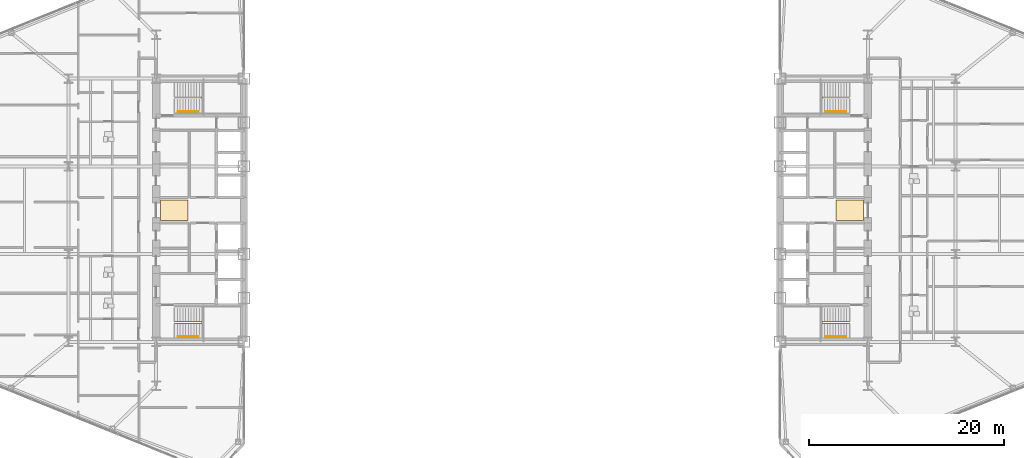
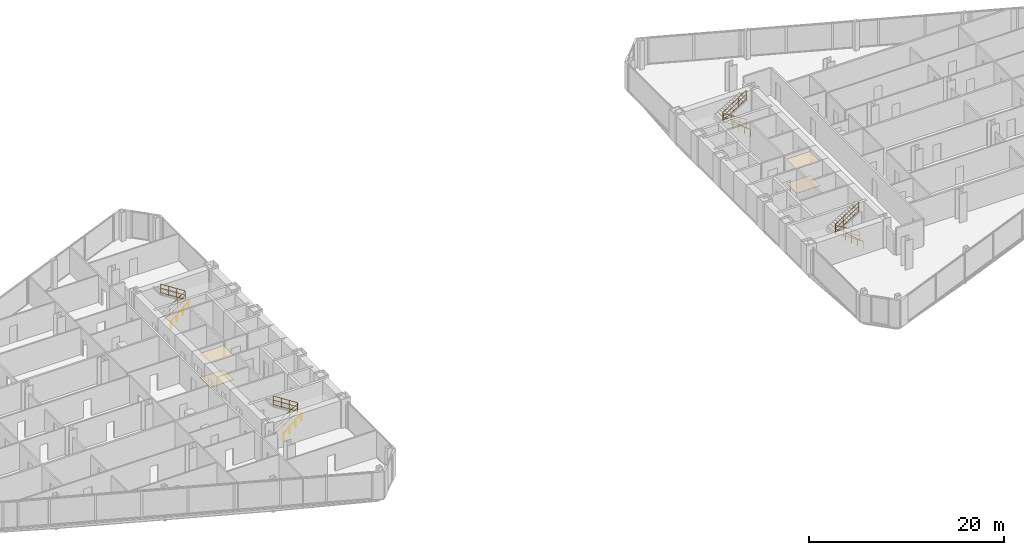
# One storey, part 24 of 25: 8 railings, 4 coverings.
"""IFC4 building model written with IfcOpenShell, lengths in metres."""

from ifc_helpers import new_model, si_unit, direction, frame, origin, origin_2d, place, context, subcontext, project, spatial, polyline, circle, outline, extrude, material, layer, layer_set, type_object, element, save


model = new_model("IFC4")

# Units and contexts
model_context = context("Model", 3, precision=1e-05, world=origin(), true_north=direction((0.0, 1.0)))
body_context = subcontext(model_context, "Body", "Model", "MODEL_VIEW")
ifc_project = project(units=[si_unit("LENGTHUNIT", "METRE"), si_unit("AREAUNIT", "SQUARE_METRE"), si_unit("VOLUMEUNIT", "CUBIC_METRE"), si_unit("PLANEANGLEUNIT", "RADIAN"), si_unit("MASSUNIT", "GRAM", prefix="KILO")], contexts=[model_context])

# Site, building, storey
site_placement = place(None, origin())
site = spatial("IfcSite", under=ifc_project, at=site_placement, CompositionType="ELEMENT")
building_placement = place(site_placement, origin())
building = spatial("IfcBuilding", under=site, at=building_placement, Name="Seokmaru Belvedere", CompositionType="ELEMENT")
storey_placement = place(building_placement, frame((0.0, 0.0, 47.699951171875)))
storey = spatial("IfcBuildingStorey", under=building, at=storey_placement, Name="L12", CompositionType="ELEMENT", Elevation=47.699951171875)

# Coverings
ifc_material_1 = material(Name="Engineered White Oak Timber", Category="wood")
ifc_layer_1 = layer(ifc_material_1, 0.02197265625)
ifc_layer_set_1 = layer_set([ifc_layer_1], Name="Engineered White Oak Timber")
covering_type_1 = type_object("IfcCoveringType", Name="Engineered Oak Residence Floor Finish 22", PredefinedType="FLOORING", material=ifc_layer_set_1)
covering_1_placement = place(storey_placement, origin())
element("IfcCovering", 1, at=covering_1_placement, inside=storey, type_object=covering_type_1, Name="L12 W Foyer Floor Finish", PredefinedType="FLOORING", context=body_context, shape_type="SweptSolid", body=[
    extrude(outline(polyline([(-36.050048828125, -1.050048828125), (-33.25, -1.050048828125), (-33.25, 1.050048828125), (-36.050048828125, 1.050048828125), (-36.050048828125, -1.050048828125)])), origin(), (0.0, 0.0, 1.0), 0.02197265625),
])
covering_2_placement = place(storey_placement, origin())
element("IfcCovering", 2, at=covering_2_placement, inside=storey, type_object=covering_type_1, Name="L12 E Foyer Floor Finish", PredefinedType="FLOORING", context=body_context, shape_type="SweptSolid", body=[
    extrude(outline(polyline([(33.25, -1.050048828125), (36.050048828125, -1.050048828125), (36.050048828125, 1.050048828125), (33.25, 1.050048828125), (33.25, -1.050048828125)])), origin(), (0.0, 0.0, 1.0), 0.02197265625),
])
ifc_material_2 = material(Name="Fire-Rated Gypsum Shaftwall")
ifc_layer_2 = layer(ifc_material_2, 0.02490234375)
ifc_layer_set_2 = layer_set([ifc_layer_2], Name="Fire-Rated Gypsum Shaftwall")
covering_type_2 = type_object("IfcCoveringType", Name="Perforated Acoustic Gypsum Suspended Ceiling 25", PredefinedType="CEILING", material=ifc_layer_set_2)
covering_3_placement = place(storey_placement, frame((0.0, 0.0, 3.030029296875)))
element("IfcCovering", 3, at=covering_3_placement, inside=storey, type_object=covering_type_2, Name="L12 W Lift Foyer Acoustic Ceiling", PredefinedType="CEILING", context=body_context, shape_type="SweptSolid", body=[
    extrude(outline(polyline([(-36.050048828125, -1.050048828125), (-33.25, -1.050048828125), (-33.25, 1.050048828125), (-36.050048828125, 1.050048828125), (-36.050048828125, -1.050048828125)])), origin(), (0.0, 0.0, 1.0), 0.02490234375),
])
covering_4_placement = place(storey_placement, frame((0.0, 0.0, 3.030029296875)))
element("IfcCovering", 4, at=covering_4_placement, inside=storey, type_object=covering_type_2, Name="L12 E Lift Foyer Acoustic Ceiling", PredefinedType="CEILING", context=body_context, shape_type="SweptSolid", body=[
    extrude(outline(polyline([(33.25, -1.050048828125), (36.050048828125, -1.050048828125), (36.050048828125, 1.050048828125), (33.25, 1.050048828125), (33.25, -1.050048828125)])), origin(), (0.0, 0.0, 1.0), 0.02490234375),
])

# Railings
ifc_material_3 = material(Name="Stainless Steel 316", Category="steel")
railing_type_1 = type_object("IfcRailingType", Name="Stainless Steel Wall and Flight Handrail 900", PredefinedType="HANDRAIL", material=ifc_material_3)
for number, where, name in (
    (5, (-34.25, -12.949951171875, 0.0), "L12 Stair ST-W1 Wall Handrail"),
    (6, (-34.25, 10.110107421875, 0.0), "L12 Stair ST-W2 Wall Handrail"),
):
    element("IfcRailing", number, at=place(storey_placement, frame(where)), inside=storey, type_object=railing_type_1, Name=name, PredefinedType="HANDRAIL", context=body_context, shape_type="SweptSolid", body=[
        extrude(circle(Radius=0.02392578125, at=origin_2d()), frame((0.0, 0.0, 0.8759765625), z_axis=(0.759262832861, 0.0, 0.650784104474), x_axis=(0.0, 1.0, 0.0)), (0.0, 0.0, 1.0), 2.765869140625),
        extrude(circle(Radius=0.02099609375, at=origin_2d()), origin(), (0.0, 0.0, 1.0), 0.851806640625),
        extrude(circle(Radius=0.02099609375, at=origin_2d()), frame((0.699951171875, 0.0, 0.60009765625)), (0.0, 0.0, 1.0), 0.851806640625),
        extrude(circle(Radius=0.02099609375, at=origin_2d()), frame((1.400146484375, 0.0, 1.199951171875)), (0.0, 0.0, 1.0), 0.851806640625),
        extrude(circle(Radius=0.02099609375, at=origin_2d()), frame((2.10009765625, 0.0, 1.800048828125)), (0.0, 0.0, 1.0), 0.851806640625),
    ])
for number, where, name in (
    (7, (34.25, -12.949951171875, 0.0), "L12 Stair ST-E1 Wall Handrail"),
    (8, (34.25, 10.110107421875, 0.0), "L12 Stair ST-E2 Wall Handrail"),
):
    element("IfcRailing", number, at=place(storey_placement, frame(where)), inside=storey, type_object=railing_type_1, Name=name, PredefinedType="HANDRAIL", context=body_context, shape_type="SweptSolid", body=[
        extrude(circle(Radius=0.02392578125, at=origin_2d()), frame((0.0, 0.0, 0.8759765625), z_axis=(-0.759262832861, 0.0, 0.650784104474), x_axis=(0.0, -1.0, 0.0)), (0.0, 0.0, 1.0), 2.765869140625),
        extrude(circle(Radius=0.02099609375, at=origin_2d()), origin(), (0.0, 0.0, 1.0), 0.851806640625),
        extrude(circle(Radius=0.02099609375, at=origin_2d()), frame((-0.699951171875, 0.0, 0.60009765625)), (0.0, 0.0, 1.0), 0.851806640625),
        extrude(circle(Radius=0.02099609375, at=origin_2d()), frame((-1.400146484375, 0.0, 1.199951171875)), (0.0, 0.0, 1.0), 0.851806640625),
        extrude(circle(Radius=0.02099609375, at=origin_2d()), frame((-2.10009765625, 0.0, 1.800048828125)), (0.0, 0.0, 1.0), 0.851806640625),
    ])
railing_type_2 = type_object("IfcRailingType", Name="Stair Well and Atrium Steel Guardrail 1200", PredefinedType="GUARDRAIL", material=ifc_material_3)
railing_1_placement = place(storey_placement, frame((-34.60009765625, -11.60009765625, 0.0)))
element("IfcRailing", 9, at=railing_1_placement, inside=storey, type_object=railing_type_2, Name="L12 Stair ST-W1 Inner Well Guardrail", PredefinedType="GUARDRAIL", context=body_context, shape_type="SweptSolid", body=[
    extrude(circle(Radius=0.02392578125, at=origin_2d()), frame((0.0, 0.0, 1.17578125), z_axis=(0.841176092368, 0.0, 0.540761298198), x_axis=(0.0, 1.0, 0.0)), (0.0, 0.0, 1.0), 3.32861328125),
    extrude(circle(Radius=0.02392578125, at=origin_2d()), frame((0.0, 0.0, 0.1201171875), z_axis=(0.841176092368, 0.0, 0.540761298198), x_axis=(0.0, 1.0, 0.0)), (0.0, 0.0, 1.0), 3.32861328125),
    extrude(circle(Radius=0.02392578125, at=origin_2d()), frame((0.0, 0.0, 0.659912109375), z_axis=(0.841176092368, 0.0, 0.540761298198), x_axis=(0.0, 1.0, 0.0)), (0.0, 0.0, 1.0), 3.32861328125),
    extrude(circle(Radius=0.02392578125, at=origin_2d()), frame((2.800048828125, 0.0, 2.97607421875), z_axis=(0.0, 1.0, 0.0), x_axis=(-1.0, 0.0, 0.0)), (0.0, 0.0, 1.0), 0.14013671875),
    extrude(circle(Radius=0.02392578125, at=origin_2d()), frame((2.800048828125, 0.0, 1.920166015625), z_axis=(0.0, 1.0, 0.0), x_axis=(-1.0, 0.0, 0.0)), (0.0, 0.0, 1.0), 0.14013671875),
    extrude(circle(Radius=0.02392578125, at=origin_2d()), frame((2.800048828125, 0.0, 2.4599609375), z_axis=(0.0, 1.0, 0.0), x_axis=(-1.0, 0.0, 0.0)), (0.0, 0.0, 1.0), 0.14013671875),
    extrude(circle(Radius=0.02392578125, at=origin_2d()), frame((2.800048828125, 0.14013671875, 2.97607421875), z_axis=(-0.841176092368, 0.0, 0.540761298198), x_axis=(0.0, -1.0, 0.0)), (0.0, 0.0, 1.0), 3.32861328125),
    extrude(circle(Radius=0.02392578125, at=origin_2d()), frame((2.800048828125, 0.14013671875, 1.920166015625), z_axis=(-0.841176092368, 0.0, 0.540761298198), x_axis=(0.0, -1.0, 0.0)), (0.0, 0.0, 1.0), 3.32861328125),
    extrude(circle(Radius=0.02392578125, at=origin_2d()), frame((2.800048828125, 0.14013671875, 2.4599609375), z_axis=(-0.841176092368, 0.0, 0.540761298198), x_axis=(0.0, -1.0, 0.0)), (0.0, 0.0, 1.0), 3.32861328125),
    extrude(circle(Radius=0.02099609375, at=origin_2d()), origin(), (0.0, 0.0, 1.0), 1.15185546875),
    extrude(circle(Radius=0.02099609375, at=origin_2d()), frame((0.933349609375, 0.0, 0.60009765625)), (0.0, 0.0, 1.0), 1.15185546875),
    extrude(circle(Radius=0.02099609375, at=origin_2d()), frame((1.86669921875, 0.0, 1.199951171875)), (0.0, 0.0, 1.0), 1.15185546875),
    extrude(circle(Radius=0.02099609375, at=origin_2d()), frame((2.800048828125, 0.0, 1.800048828125)), (0.0, 0.0, 1.0), 1.15185546875),
    extrude(circle(Radius=0.02099609375, at=origin_2d()), frame((2.800048828125, 0.14013671875, 1.800048828125)), (0.0, 0.0, 1.0), 1.15185546875),
    extrude(circle(Radius=0.02099609375, at=origin_2d()), frame((1.86669921875, 0.14013671875, 2.400146484375)), (0.0, 0.0, 1.0), 1.15185546875),
    extrude(circle(Radius=0.02099609375, at=origin_2d()), frame((0.933349609375, 0.14013671875, 3.0)), (0.0, 0.0, 1.0), 1.15185546875),
    extrude(circle(Radius=0.02099609375, at=origin_2d()), frame((0.0, 0.14013671875, 3.60009765625)), (0.0, 0.0, 1.0), 1.15185546875),
])
railing_2_placement = place(storey_placement, frame((-34.60009765625, 11.4599609375, 0.0)))
element("IfcRailing", 10, at=railing_2_placement, inside=storey, type_object=railing_type_2, Name="L12 Stair ST-W2 Inner Well Guardrail", PredefinedType="GUARDRAIL", context=body_context, shape_type="SweptSolid", body=[
    extrude(circle(Radius=0.02392578125, at=origin_2d()), frame((0.0, 0.0, 1.17578125), z_axis=(0.841176092368, 0.0, 0.540761298198), x_axis=(0.0, 1.0, 0.0)), (0.0, 0.0, 1.0), 3.32861328125),
    extrude(circle(Radius=0.02392578125, at=origin_2d()), frame((0.0, 0.0, 0.1201171875), z_axis=(0.841176092368, 0.0, 0.540761298198), x_axis=(0.0, 1.0, 0.0)), (0.0, 0.0, 1.0), 3.32861328125),
    extrude(circle(Radius=0.02392578125, at=origin_2d()), frame((0.0, 0.0, 0.659912109375), z_axis=(0.841176092368, 0.0, 0.540761298198), x_axis=(0.0, 1.0, 0.0)), (0.0, 0.0, 1.0), 3.32861328125),
    extrude(circle(Radius=0.02392578125, at=origin_2d()), frame((2.800048828125, 0.0, 2.97607421875), z_axis=(0.0, 1.0, 0.0), x_axis=(-1.0, 0.0, 0.0)), (0.0, 0.0, 1.0), 0.14013671875),
    extrude(circle(Radius=0.02392578125, at=origin_2d()), frame((2.800048828125, 0.0, 1.920166015625), z_axis=(0.0, 1.0, 0.0), x_axis=(-1.0, 0.0, 0.0)), (0.0, 0.0, 1.0), 0.14013671875),
    extrude(circle(Radius=0.02392578125, at=origin_2d()), frame((2.800048828125, 0.0, 2.4599609375), z_axis=(0.0, 1.0, 0.0), x_axis=(-1.0, 0.0, 0.0)), (0.0, 0.0, 1.0), 0.14013671875),
    extrude(circle(Radius=0.02392578125, at=origin_2d()), frame((2.800048828125, 0.14013671875, 2.97607421875), z_axis=(-0.841176092368, 0.0, 0.540761298198), x_axis=(0.0, -1.0, 0.0)), (0.0, 0.0, 1.0), 3.32861328125),
    extrude(circle(Radius=0.02392578125, at=origin_2d()), frame((2.800048828125, 0.14013671875, 1.920166015625), z_axis=(-0.841176092368, 0.0, 0.540761298198), x_axis=(0.0, -1.0, 0.0)), (0.0, 0.0, 1.0), 3.32861328125),
    extrude(circle(Radius=0.02392578125, at=origin_2d()), frame((2.800048828125, 0.14013671875, 2.4599609375), z_axis=(-0.841176092368, 0.0, 0.540761298198), x_axis=(0.0, -1.0, 0.0)), (0.0, 0.0, 1.0), 3.32861328125),
    extrude(circle(Radius=0.02099609375, at=origin_2d()), origin(), (0.0, 0.0, 1.0), 1.15185546875),
    extrude(circle(Radius=0.02099609375, at=origin_2d()), frame((0.933349609375, 0.0, 0.60009765625)), (0.0, 0.0, 1.0), 1.15185546875),
    extrude(circle(Radius=0.02099609375, at=origin_2d()), frame((1.86669921875, 0.0, 1.199951171875)), (0.0, 0.0, 1.0), 1.15185546875),
    extrude(circle(Radius=0.02099609375, at=origin_2d()), frame((2.800048828125, 0.0, 1.800048828125)), (0.0, 0.0, 1.0), 1.15185546875),
    extrude(circle(Radius=0.02099609375, at=origin_2d()), frame((2.800048828125, 0.14013671875, 1.800048828125)), (0.0, 0.0, 1.0), 1.15185546875),
    extrude(circle(Radius=0.02099609375, at=origin_2d()), frame((1.86669921875, 0.14013671875, 2.400146484375)), (0.0, 0.0, 1.0), 1.15185546875),
    extrude(circle(Radius=0.02099609375, at=origin_2d()), frame((0.933349609375, 0.14013671875, 3.0)), (0.0, 0.0, 1.0), 1.15185546875),
    extrude(circle(Radius=0.02099609375, at=origin_2d()), frame((0.0, 0.14013671875, 3.60009765625)), (0.0, 0.0, 1.0), 1.15185546875),
])
railing_3_placement = place(storey_placement, frame((34.60009765625, -11.60009765625, 0.0)))
element("IfcRailing", 11, at=railing_3_placement, inside=storey, type_object=railing_type_2, Name="L12 Stair ST-E1 Inner Well Guardrail", PredefinedType="GUARDRAIL", context=body_context, shape_type="SweptSolid", body=[
    extrude(circle(Radius=0.02392578125, at=origin_2d()), frame((0.0, 0.0, 1.17578125), z_axis=(-0.841176092368, 0.0, 0.540761298198), x_axis=(0.0, -1.0, 0.0)), (0.0, 0.0, 1.0), 3.32861328125),
    extrude(circle(Radius=0.02392578125, at=origin_2d()), frame((0.0, 0.0, 0.1201171875), z_axis=(-0.841176092368, 0.0, 0.540761298198), x_axis=(0.0, -1.0, 0.0)), (0.0, 0.0, 1.0), 3.32861328125),
    extrude(circle(Radius=0.02392578125, at=origin_2d()), frame((0.0, 0.0, 0.659912109375), z_axis=(-0.841176092368, 0.0, 0.540761298198), x_axis=(0.0, -1.0, 0.0)), (0.0, 0.0, 1.0), 3.32861328125),
    extrude(circle(Radius=0.02392578125, at=origin_2d()), frame((-2.800048828125, 0.0, 2.97607421875), z_axis=(0.0, 1.0, 0.0), x_axis=(-1.0, 0.0, 0.0)), (0.0, 0.0, 1.0), 0.14013671875),
    extrude(circle(Radius=0.02392578125, at=origin_2d()), frame((-2.800048828125, 0.0, 1.920166015625), z_axis=(0.0, 1.0, 0.0), x_axis=(-1.0, 0.0, 0.0)), (0.0, 0.0, 1.0), 0.14013671875),
    extrude(circle(Radius=0.02392578125, at=origin_2d()), frame((-2.800048828125, 0.0, 2.4599609375), z_axis=(0.0, 1.0, 0.0), x_axis=(-1.0, 0.0, 0.0)), (0.0, 0.0, 1.0), 0.14013671875),
    extrude(circle(Radius=0.02392578125, at=origin_2d()), frame((-2.800048828125, 0.14013671875, 2.97607421875), z_axis=(0.841176092368, 0.0, 0.540761298198), x_axis=(0.0, 1.0, 0.0)), (0.0, 0.0, 1.0), 3.32861328125),
    extrude(circle(Radius=0.02392578125, at=origin_2d()), frame((-2.800048828125, 0.14013671875, 1.920166015625), z_axis=(0.841176092368, 0.0, 0.540761298198), x_axis=(0.0, 1.0, 0.0)), (0.0, 0.0, 1.0), 3.32861328125),
    extrude(circle(Radius=0.02392578125, at=origin_2d()), frame((-2.800048828125, 0.14013671875, 2.4599609375), z_axis=(0.841176092368, 0.0, 0.540761298198), x_axis=(0.0, 1.0, 0.0)), (0.0, 0.0, 1.0), 3.32861328125),
    extrude(circle(Radius=0.02099609375, at=origin_2d()), origin(), (0.0, 0.0, 1.0), 1.15185546875),
    extrude(circle(Radius=0.02099609375, at=origin_2d()), frame((-0.933349609375, 0.0, 0.60009765625)), (0.0, 0.0, 1.0), 1.15185546875),
    extrude(circle(Radius=0.02099609375, at=origin_2d()), frame((-1.86669921875, 0.0, 1.199951171875)), (0.0, 0.0, 1.0), 1.15185546875),
    extrude(circle(Radius=0.02099609375, at=origin_2d()), frame((-2.800048828125, 0.0, 1.800048828125)), (0.0, 0.0, 1.0), 1.15185546875),
    extrude(circle(Radius=0.02099609375, at=origin_2d()), frame((-2.800048828125, 0.14013671875, 1.800048828125)), (0.0, 0.0, 1.0), 1.15185546875),
    extrude(circle(Radius=0.02099609375, at=origin_2d()), frame((-1.86669921875, 0.14013671875, 2.400146484375)), (0.0, 0.0, 1.0), 1.15185546875),
    extrude(circle(Radius=0.02099609375, at=origin_2d()), frame((-0.933349609375, 0.14013671875, 3.0)), (0.0, 0.0, 1.0), 1.15185546875),
    extrude(circle(Radius=0.02099609375, at=origin_2d()), frame((0.0, 0.14013671875, 3.60009765625)), (0.0, 0.0, 1.0), 1.15185546875),
])
railing_4_placement = place(storey_placement, frame((34.60009765625, 11.4599609375, 0.0)))
element("IfcRailing", 12, at=railing_4_placement, inside=storey, type_object=railing_type_2, Name="L12 Stair ST-E2 Inner Well Guardrail", PredefinedType="GUARDRAIL", context=body_context, shape_type="SweptSolid", body=[
    extrude(circle(Radius=0.02392578125, at=origin_2d()), frame((0.0, 0.0, 1.17578125), z_axis=(-0.841176092368, 0.0, 0.540761298198), x_axis=(0.0, -1.0, 0.0)), (0.0, 0.0, 1.0), 3.32861328125),
    extrude(circle(Radius=0.02392578125, at=origin_2d()), frame((0.0, 0.0, 0.1201171875), z_axis=(-0.841176092368, 0.0, 0.540761298198), x_axis=(0.0, -1.0, 0.0)), (0.0, 0.0, 1.0), 3.32861328125),
    extrude(circle(Radius=0.02392578125, at=origin_2d()), frame((0.0, 0.0, 0.659912109375), z_axis=(-0.841176092368, 0.0, 0.540761298198), x_axis=(0.0, -1.0, 0.0)), (0.0, 0.0, 1.0), 3.32861328125),
    extrude(circle(Radius=0.02392578125, at=origin_2d()), frame((-2.800048828125, 0.0, 2.97607421875), z_axis=(0.0, 1.0, 0.0), x_axis=(-1.0, 0.0, 0.0)), (0.0, 0.0, 1.0), 0.14013671875),
    extrude(circle(Radius=0.02392578125, at=origin_2d()), frame((-2.800048828125, 0.0, 1.920166015625), z_axis=(0.0, 1.0, 0.0), x_axis=(-1.0, 0.0, 0.0)), (0.0, 0.0, 1.0), 0.14013671875),
    extrude(circle(Radius=0.02392578125, at=origin_2d()), frame((-2.800048828125, 0.0, 2.4599609375), z_axis=(0.0, 1.0, 0.0), x_axis=(-1.0, 0.0, 0.0)), (0.0, 0.0, 1.0), 0.14013671875),
    extrude(circle(Radius=0.02392578125, at=origin_2d()), frame((-2.800048828125, 0.14013671875, 2.97607421875), z_axis=(0.841176092368, 0.0, 0.540761298198), x_axis=(0.0, 1.0, 0.0)), (0.0, 0.0, 1.0), 3.32861328125),
    extrude(circle(Radius=0.02392578125, at=origin_2d()), frame((-2.800048828125, 0.14013671875, 1.920166015625), z_axis=(0.841176092368, 0.0, 0.540761298198), x_axis=(0.0, 1.0, 0.0)), (0.0, 0.0, 1.0), 3.32861328125),
    extrude(circle(Radius=0.02392578125, at=origin_2d()), frame((-2.800048828125, 0.14013671875, 2.4599609375), z_axis=(0.841176092368, 0.0, 0.540761298198), x_axis=(0.0, 1.0, 0.0)), (0.0, 0.0, 1.0), 3.32861328125),
    extrude(circle(Radius=0.02099609375, at=origin_2d()), origin(), (0.0, 0.0, 1.0), 1.15185546875),
    extrude(circle(Radius=0.02099609375, at=origin_2d()), frame((-0.933349609375, 0.0, 0.60009765625)), (0.0, 0.0, 1.0), 1.15185546875),
    extrude(circle(Radius=0.02099609375, at=origin_2d()), frame((-1.86669921875, 0.0, 1.199951171875)), (0.0, 0.0, 1.0), 1.15185546875),
    extrude(circle(Radius=0.02099609375, at=origin_2d()), frame((-2.800048828125, 0.0, 1.800048828125)), (0.0, 0.0, 1.0), 1.15185546875),
    extrude(circle(Radius=0.02099609375, at=origin_2d()), frame((-2.800048828125, 0.14013671875, 1.800048828125)), (0.0, 0.0, 1.0), 1.15185546875),
    extrude(circle(Radius=0.02099609375, at=origin_2d()), frame((-1.86669921875, 0.14013671875, 2.400146484375)), (0.0, 0.0, 1.0), 1.15185546875),
    extrude(circle(Radius=0.02099609375, at=origin_2d()), frame((-0.933349609375, 0.14013671875, 3.0)), (0.0, 0.0, 1.0), 1.15185546875),
    extrude(circle(Radius=0.02099609375, at=origin_2d()), frame((0.0, 0.14013671875, 3.60009765625)), (0.0, 0.0, 1.0), 1.15185546875),
])

save(model, "model.ifc")
